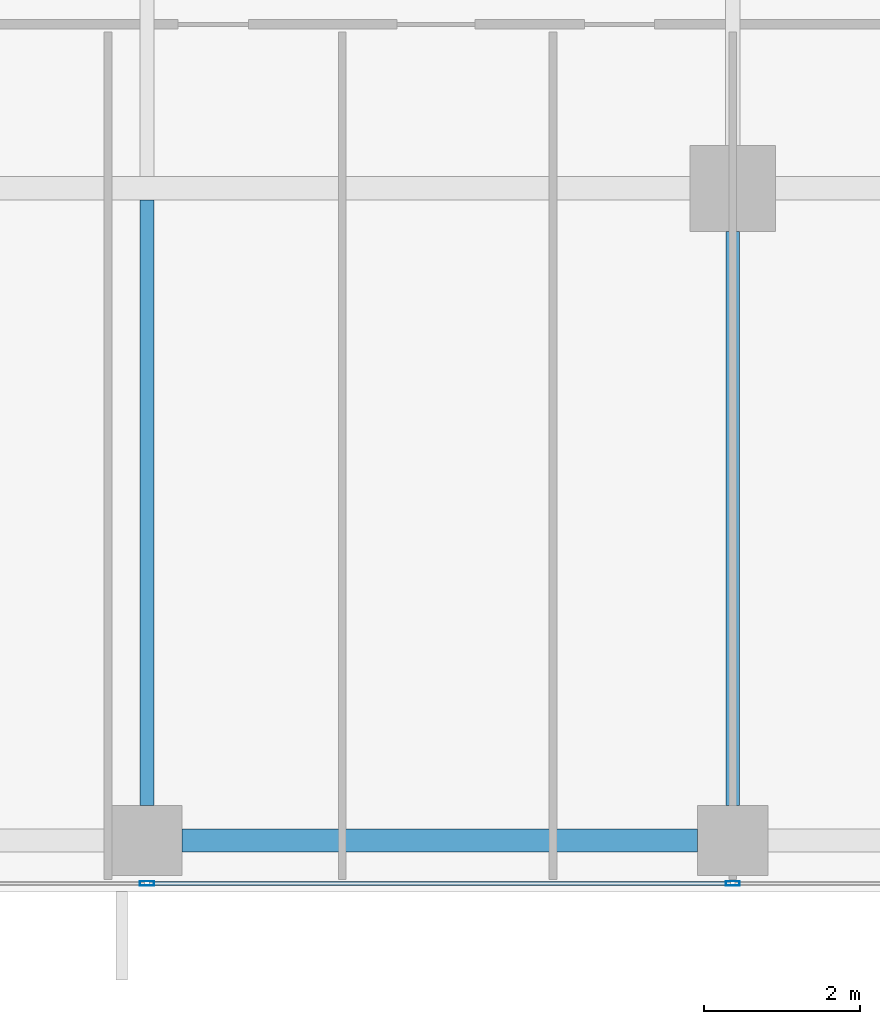
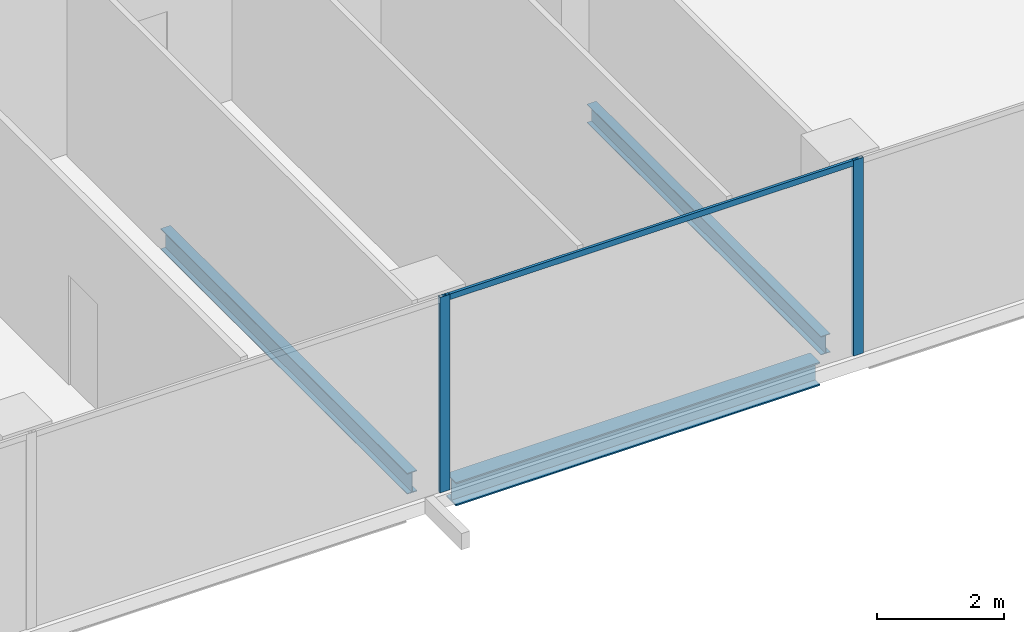
# One storey, part 6 of 36: 3 beams, 3 members, 1 element without a shape of its own.
"""IFC4 building model written with IfcOpenShell, lengths in metres."""

from ifc_helpers import new_model, si_unit, direction, frame, origin, origin_2d, place, context, subcontext, project, spatial, hollow_rectangle, i_section, extrude, source, transform, mapped, material, material_profile, profile_set, type_object, element, aggregate, save


model = new_model("IFC4")

# Units and contexts
model_context = context("Model", 3, precision=1e-05, world=origin(), true_north=direction((0.0, 1.0)))
body_context = subcontext(model_context, "Body", "Model", "MODEL_VIEW")
ifc_project = project(units=[si_unit("LENGTHUNIT", "METRE"), si_unit("AREAUNIT", "SQUARE_METRE"), si_unit("VOLUMEUNIT", "CUBIC_METRE"), si_unit("PLANEANGLEUNIT", "RADIAN"), si_unit("MASSUNIT", "GRAM", prefix="KILO")], contexts=[model_context])

# Site, building, storey
site_placement = place(None, origin())
site = spatial("IfcSite", under=ifc_project, at=site_placement, CompositionType="ELEMENT")
building_placement = place(site_placement, origin())
building = spatial("IfcBuilding", under=site, at=building_placement, Name="Khomas Fold Tower", CompositionType="ELEMENT")
storey_placement = place(building_placement, frame((0.0, 0.0, 226.199951171875)))
storey = spatial("IfcBuildingStorey", under=building, at=storey_placement, Name="L50", CompositionType="ELEMENT", Elevation=226.199951171875)

# Beams
ifc_material_1 = material(Name="Steel S355", Category="steel")
ifc_material_profile_1 = material_profile(ifc_material_1, i_section(OverallWidth=0.300048828125, OverallDepth=0.449951171875, WebThickness=0.013916015625, FlangeThickness=0.02587890625, at=origin_2d()), Name="HE 450 B")
ifc_profile_set_1 = profile_set([ifc_material_profile_1], Name="Steel S355")
beam_type_1 = type_object("IfcBeamType", Name="HE 450 B spandrel SB4", PredefinedType="SPANDREL", material=ifc_profile_set_1)
shared_shape_1 = source(origin(), body_context, "Body", "SweptSolid", [
    extrude(i_section(OverallWidth=0.300048828125, OverallDepth=0.449951171875, WebThickness=0.013916015625, FlangeThickness=0.02587890625, at=origin_2d()), origin(), (0.0, 0.0, 1.0), 6.60009765625),
])
beam_1_placement = place(storey_placement, frame((27.449951171875, 5.14990234375, -0.474853515625), z_axis=(1.0, 0.0, 0.0), x_axis=(0.0, 1.0, 0.0)))
element("IfcBeam", 1, at=beam_1_placement, inside=storey, type_object=beam_type_1, Name="SB4", PredefinedType="SPANDREL", context=body_context, shape_type="MappedRepresentation", body=[
    mapped(shared_shape_1, transform((0.0, 0.0, 0.0))),
])
ifc_material_2 = material(Name="Steel S355", Category="steel")
ifc_material_profile_2 = material_profile(ifc_material_2, i_section(OverallWidth=0.179931640625, OverallDepth=0.39990234375, WebThickness=0.008544921875, FlangeThickness=0.013427734375, at=origin_2d()), Name="IPE 400")
ifc_profile_set_2 = profile_set([ifc_material_profile_2], Name="Steel S355")
beam_type_2 = type_object("IfcBeamType", Name="IPE 400 beam JB3", PredefinedType="BEAM", material=ifc_profile_set_2)
shared_shape_2 = source(origin(), body_context, "Body", "SweptSolid", [
    extrude(i_section(OverallWidth=0.179931640625, OverallDepth=0.39990234375, WebThickness=0.008544921875, FlangeThickness=0.013427734375, at=origin_2d()), origin(), (0.0, 0.0, 1.0), 7.75),
])
beam_2_placement = place(storey_placement, frame((27.0, 5.60009765625, -0.449951171875), z_axis=(0.0, 1.0, 0.0), x_axis=(-1.0, 0.0, 0.0)))
element("IfcBeam", 2, at=beam_2_placement, inside=storey, type_object=beam_type_2, Name="JB3", PredefinedType="BEAM", context=body_context, shape_type="MappedRepresentation", body=[
    mapped(shared_shape_2, transform((0.0, 0.0, 0.0))),
])
ifc_material_3 = material(Name="Steel S355", Category="steel")
ifc_material_profile_3 = material_profile(ifc_material_3, i_section(OverallWidth=0.169921875, OverallDepth=0.360107421875, WebThickness=0.008056640625, FlangeThickness=0.0126953125, at=origin_2d()), Name="IPE 360")
ifc_profile_set_3 = profile_set([ifc_material_profile_3], Name="Steel S355")
beam_type_3 = type_object("IfcBeamType", Name="IPE 360 beam JB2", PredefinedType="BEAM", material=ifc_profile_set_3)
shared_shape_3 = source(origin(), body_context, "Body", "SweptSolid", [
    extrude(i_section(OverallWidth=0.169921875, OverallDepth=0.360107421875, WebThickness=0.008056640625, FlangeThickness=0.0126953125, at=origin_2d()), origin(), (0.0, 0.0, 1.0), 7.349853515625),
])
beam_3_placement = place(storey_placement, frame((34.5, 5.60009765625, -0.429931640625), z_axis=(0.0, 1.0, 0.0), x_axis=(-1.0, 0.0, 0.0)))
element("IfcBeam", 3, at=beam_3_placement, inside=storey, type_object=beam_type_3, Name="JB2", PredefinedType="BEAM", context=body_context, shape_type="MappedRepresentation", body=[
    mapped(shared_shape_3, transform((0.0, 0.0, 0.0))),
])

# Curtain wall, members
ifc_material_4 = material(Name="Aluminium framed double glazing", Category="aluminium")
curtain_wall_type = type_object("IfcCurtainWallType", Name="SK-Unitised clear-glass wall, office floors CW2", PredefinedType="NOTDEFINED", material=ifc_material_4)
curtain_wall_placement = place(storey_placement, origin())
curtain_wall = element("IfcCurtainWall", 4, at=curtain_wall_placement, inside=storey, type_object=curtain_wall_type, Name="CW2 run L50 00-0", PredefinedType="NOTDEFINED")
ifc_material_5 = material(Name="Aluminium", Category="aluminium")
ifc_material_profile_4 = material_profile(ifc_material_5, hollow_rectangle(XDim=0.06005859375, YDim=0.179931640625, WallThickness=0.00390625, at=origin_2d()), Name="SK-Unitised clear-glass wall, office floors mullion CW2-M")
ifc_profile_set_4 = profile_set([ifc_material_profile_4], Name="Aluminium")
member_type_1 = type_object("IfcMemberType", Name="SK-Unitised clear-glass wall, office floors mullion CW2-M", PredefinedType="MULLION", material=ifc_profile_set_4)
shared_shape_4 = source(origin(), body_context, "Body", "SweptSolid", [
    extrude(hollow_rectangle(XDim=0.06005859375, YDim=0.179931640625, WallThickness=0.00390625, at=origin_2d()), origin(), (0.0, 0.0, 1.0), 3.75),
])
member_1_placement = place(storey_placement, frame((27.0, 4.60009765625, 0.0), z_axis=(0.0, 0.0, 1.0), x_axis=(0.0, 1.0, 0.0)))
member_1 = element("IfcMember", 5, at=member_1_placement, type_object=member_type_1, Name="CW2 mullion 4", PredefinedType="MULLION", context=body_context, shape_type="MappedRepresentation", body=[
    mapped(shared_shape_4, transform((0.0, 0.0, 0.0))),
])
member_2_placement = place(storey_placement, frame((34.5, 4.60009765625, 0.0), z_axis=(0.0, 0.0, 1.0), x_axis=(0.0, 1.0, 0.0)))
member_2 = element("IfcMember", 6, at=member_2_placement, type_object=member_type_1, Name="CW2 mullion 5", PredefinedType="MULLION", context=body_context, shape_type="MappedRepresentation", body=[
    mapped(shared_shape_4, transform((0.0, 0.0, 0.0))),
])
ifc_material_6 = material(Name="Aluminium", Category="aluminium")
ifc_material_profile_5 = material_profile(ifc_material_6, hollow_rectangle(XDim=0.050048828125, YDim=0.110107421875, WallThickness=0.00390625, at=origin_2d()), Name="SK-Unitised clear-glass wall, office floors transom CW2-T")
ifc_profile_set_5 = profile_set([ifc_material_profile_5], Name="Aluminium")
member_type_2 = type_object("IfcMemberType", Name="SK-Unitised clear-glass wall, office floors transom CW2-T", PredefinedType="USERDEFINED", material=ifc_profile_set_5)
shared_shape_5 = source(origin(), body_context, "Body", "SweptSolid", [
    extrude(hollow_rectangle(XDim=0.050048828125, YDim=0.110107421875, WallThickness=0.00390625, at=origin_2d()), origin(), (0.0, 0.0, 1.0), 7.43994140625),
])
member_3_placement = place(storey_placement, frame((27.030029296875, 4.60009765625, 3.695068359375), z_axis=(1.0, 0.0, 0.0), x_axis=(0.0, 1.0, 0.0)))
member_3 = element("IfcMember", 7, at=member_3_placement, type_object=member_type_2, Name="CW2 transom 4", ObjectType="TRANSOM", PredefinedType="USERDEFINED", context=body_context, shape_type="MappedRepresentation", body=[
    mapped(shared_shape_5, transform((0.0, 0.0, 0.0))),
])
aggregate(curtain_wall, [member_1, member_2, member_3])

save(model, "model.ifc")
